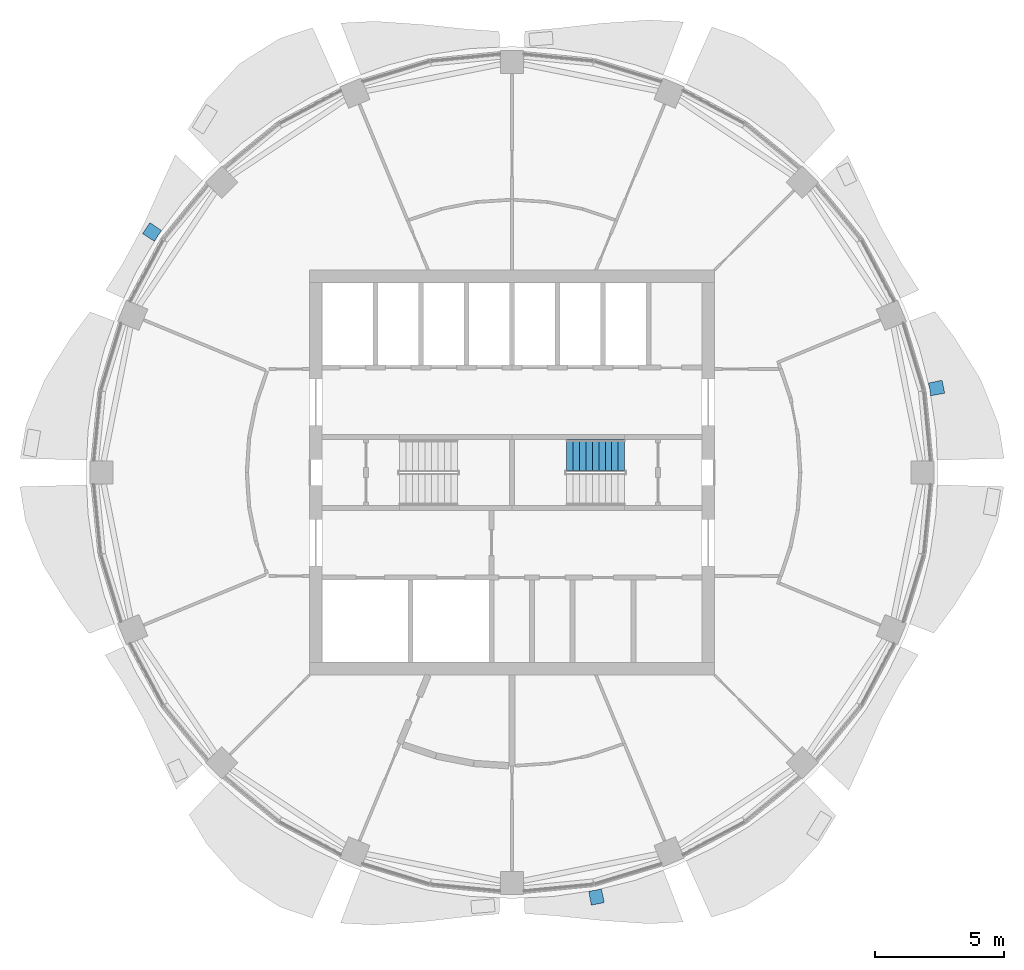
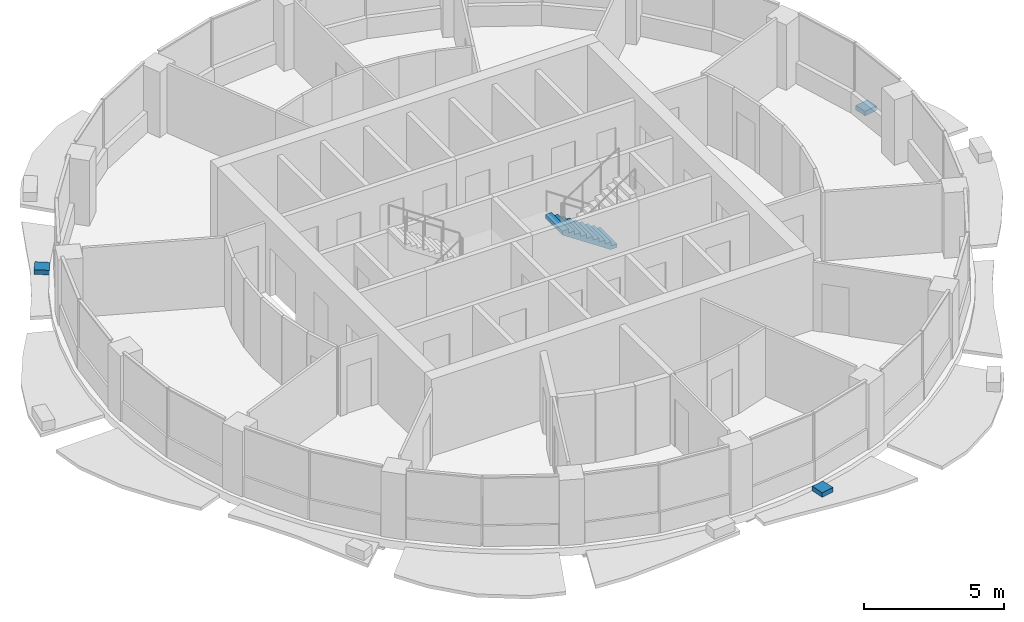
# One storey, part 11 of 15: 3 discrete accessories, 1 stair flight, 1 element without a shape of its own.
"""IFC4 building model written with IfcOpenShell, lengths in metres."""

from ifc_helpers import new_model, si_unit, direction, frame, origin, place, context, subcontext, project, spatial, polyline, outline, extrude, material, type_object, element, aggregate, save


model = new_model("IFC4")

# Units and contexts
model_context = context("Model", 3, precision=1e-05, world=origin(), true_north=direction((0.0, 1.0)))
body_context = subcontext(model_context, "Body", "Model", "MODEL_VIEW")
ifc_project = project(units=[si_unit("LENGTHUNIT", "METRE"), si_unit("AREAUNIT", "SQUARE_METRE"), si_unit("VOLUMEUNIT", "CUBIC_METRE"), si_unit("PLANEANGLEUNIT", "RADIAN"), si_unit("MASSUNIT", "GRAM", prefix="KILO")], contexts=[model_context])

# Site, building, storey
site_placement = place(None, origin())
site = spatial("IfcSite", under=ifc_project, at=site_placement, CompositionType="ELEMENT")
building_placement = place(site_placement, origin())
building = spatial("IfcBuilding", under=site, at=building_placement, Name="Polderwave Tower", CompositionType="ELEMENT")
storey_placement = place(building_placement, frame((0.0, 0.0, 211.10009765625)))
storey = spatial("IfcBuildingStorey", under=building, at=storey_placement, Name="L57", CompositionType="ELEMENT", Elevation=211.10009765625)

# Stair, stair flight
ifc_material_1 = material(Name="Concrete C40/50", Category="concrete")
stair_type = type_object("IfcStairType", Name="Exit stair 1200 x 20 risers", PredefinedType="HALF_TURN_STAIR", material=ifc_material_1)
stair_placement = place(storey_placement, origin())
stair = element("IfcStair", 1, at=stair_placement, inside=storey, type_object=stair_type, Name="L57 Exit stair B", PredefinedType="HALF_TURN_STAIR")
stair_flight_type = type_object("IfcStairFlightType", Name="Stair flight 1200", PredefinedType="STRAIGHT", material=ifc_material_1)
stair_flight_placement = place(storey_placement, frame((4.3740234375, 0.675048828125, 0.0), z_axis=(0.0, 0.0, 1.0), x_axis=(-1.0, 0.0, 0.0)))
stair_flight = element("IfcStairFlight", 2, at=stair_flight_placement, type_object=stair_flight_type, Name="ST-B flight 1", NumberOfRisers=10, NumberOfTreads=9, PredefinedType="STRAIGHT", RiserHeight=0.1675, TreadLength=0.25, context=body_context, shape_type="SweptSolid", body=[
    extrude(outline(polyline([(0.0, 0.0), (0.0, 0.16748046875), (0.25, 0.16748046875), (0.25, 0.3349609375), (0.5, 0.3349609375), (0.5, 0.50244140625), (0.75, 0.50244140625), (0.75, 0.669921875), (1.0, 0.669921875), (1.0, 0.83740234375), (1.25, 0.83740234375), (1.25, 1.0048828125), (1.5, 1.0048828125), (1.5, 1.172607421875), (1.75, 1.172607421875), (1.75, 1.340087890625), (2.0, 1.340087890625), (2.0, 1.507568359375), (2.25, 1.507568359375), (2.25, 1.675048828125), (2.25, 1.3271484375), (0.269287109375, 0.0), (0.0, 0.0)])), frame((0.0, 0.60009765625, 0.0), z_axis=(0.0, -1.0, 0.0), x_axis=(1.0, 0.0, 0.0)), (0.0, 0.0, 1.0), 1.199951171875),
])
aggregate(stair, [stair_flight])

# Discrete accessories
ifc_material_2 = material(Name="Steel S355", Category="steel")
discrete_accessory_type = type_object("IfcDiscreteAccessoryType", Name="Band bracket pad", PredefinedType="BRACKET", material=ifc_material_2)
discrete_accessory_1_placement = place(storey_placement, frame((0.0, 0.0, -0.2001953125)))
element("IfcDiscreteAccessory", 3, at=discrete_accessory_1_placement, inside=storey, type_object=discrete_accessory_type, Name="Band bracket L57 1", PredefinedType="BRACKET", context=body_context, shape_type="SweptSolid", body=[
    extrude(outline(polyline([(16.268798828125, 2.9814453125), (16.23193359375, 3.228759765625), (16.17138671875, 3.47119140625), (16.708984375, 3.586669921875), (16.809814453125, 3.08056640625), (16.268798828125, 2.9814453125)])), origin(), (0.0, 0.0, 1.0), 0.2001953125),
])
discrete_accessory_2_placement = place(storey_placement, frame((0.0, 0.0, -0.2001953125)))
element("IfcDiscreteAccessory", 4, at=discrete_accessory_2_placement, inside=storey, type_object=discrete_accessory_type, Name="Band bracket L57 7", PredefinedType="BRACKET", context=body_context, shape_type="SweptSolid", body=[
    extrude(outline(polyline([(-13.61181640625, 9.3955078125), (-13.7607421875, 9.194580078125), (-13.889404296875, 8.980224609375), (-14.351318359375, 9.27880859375), (-14.064453125, 9.7080078125), (-13.61181640625, 9.3955078125)])), origin(), (0.0, 0.0, 1.0), 0.2001953125),
])
discrete_accessory_3_placement = place(storey_placement, frame((0.0, 0.0, -0.2001953125)))
element("IfcDiscreteAccessory", 5, at=discrete_accessory_3_placement, inside=storey, type_object=discrete_accessory_type, Name="Band bracket L57 13", PredefinedType="BRACKET", context=body_context, shape_type="SweptSolid", body=[
    extrude(outline(polyline([(2.9814453125, -16.268798828125), (3.228759765625, -16.23193359375), (3.47119140625, -16.17138671875), (3.586669921875, -16.708984375), (3.08056640625, -16.809814453125), (2.9814453125, -16.268798828125)])), origin(), (0.0, 0.0, 1.0), 0.2001953125),
])

save(model, "model.ifc")
